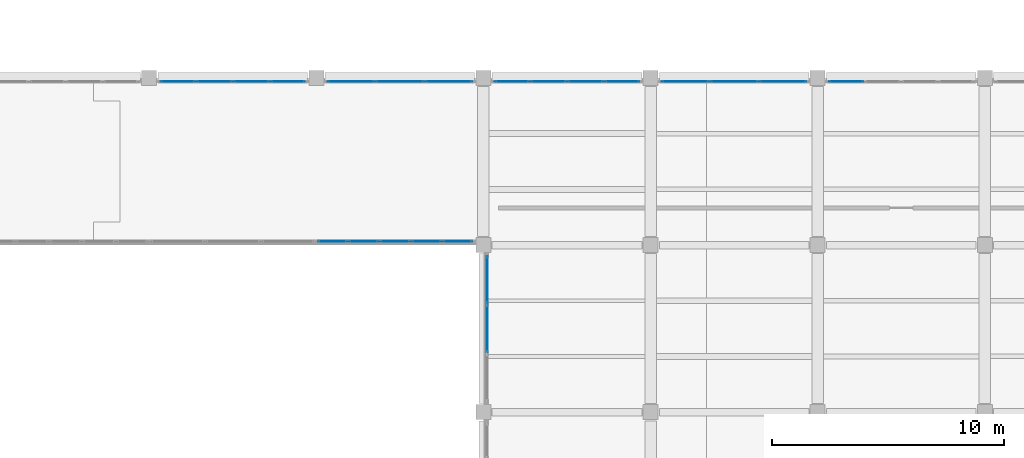
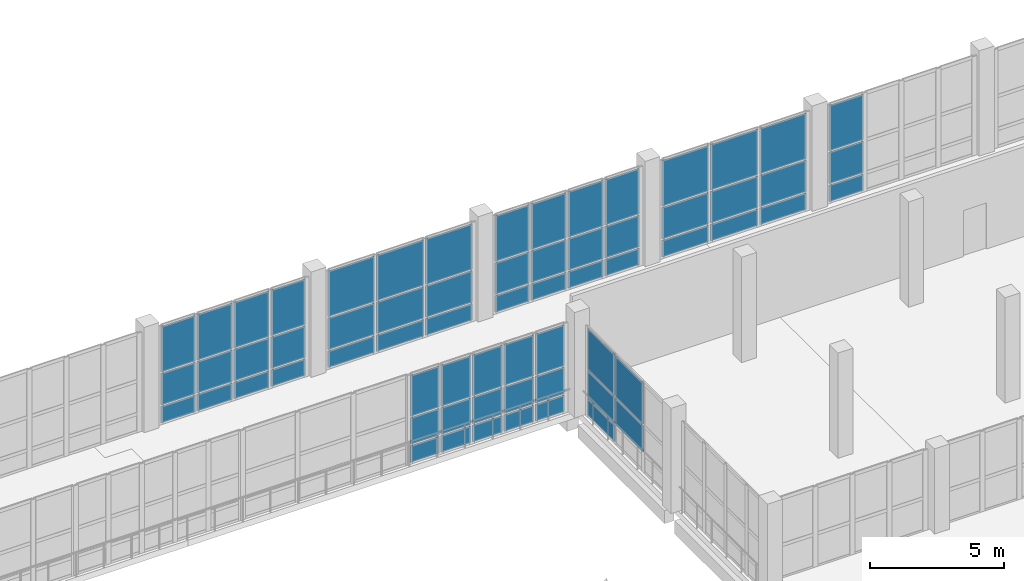
# One storey, part 81 of 127: 65 plates, 7 elements without a shape of their own.
"""IFC4 building model written with IfcOpenShell, lengths in metres."""

from ifc_helpers import new_model, si_unit, direction, frame, origin, origin_2d, place, context, subcontext, project, spatial, rectangle, extrude, material, layer, layer_set, type_object, element, aggregate, save


model = new_model("IFC4")

# Units and contexts
model_context = context("Model", 3, precision=1e-05, world=origin(), true_north=direction((0.0, 1.0)))
body_context = subcontext(model_context, "Body", "Model", "MODEL_VIEW")
ifc_project = project(units=[si_unit("LENGTHUNIT", "METRE"), si_unit("AREAUNIT", "SQUARE_METRE"), si_unit("VOLUMEUNIT", "CUBIC_METRE"), si_unit("PLANEANGLEUNIT", "RADIAN"), si_unit("MASSUNIT", "GRAM", prefix="KILO")], contexts=[model_context])

# Site, building, storey
site_placement = place(None, origin())
site = spatial("IfcSite", under=ifc_project, at=site_placement, CompositionType="ELEMENT")
building_placement = place(site_placement, origin())
building = spatial("IfcBuilding", under=site, at=building_placement, Name="Kalmorath City Hall", CompositionType="ELEMENT")
storey_placement = place(building_placement, frame((0.0, 0.0, 5.39990234375)))
storey = spatial("IfcBuildingStorey", under=building, at=storey_placement, Name="L01", CompositionType="ELEMENT", Elevation=5.39990234375)

# Curtain wall, plates
ifc_material_1 = material(Name="Anodised aluminium and laminated glass", Category="aluminium")
curtain_wall_type_1 = type_object("IfcCurtainWallType", Name="Unitised hurricane curtain wall 6370x4090 M2100", PredefinedType="NOTDEFINED", material=ifc_material_1)
curtain_wall_1_placement = place(storey_placement, origin())
curtain_wall_1 = element("IfcCurtainWall", 1, at=curtain_wall_1_placement, inside=storey, type_object=curtain_wall_type_1, Name="L01 curtain wall CW-64X41M21 #73", PredefinedType="NOTDEFINED")
ifc_material_2 = material(Name="Hurricane laminated low-E glass", Category="glass")
ifc_layer = layer(ifc_material_2, 0.031982421875)
ifc_layer_set = layer_set([ifc_layer], Name="Hurricane laminated low-E glass")
plate_type = type_object("IfcPlateType", Name="Hurricane impact double-glazed panel 32", PredefinedType="CURTAIN_PANEL", material=ifc_layer_set)
plate_1_placement = place(storey_placement, frame((79.360107421875, 32.39990234375, 0.882568359375), z_axis=(0.0, 0.0, 1.0), x_axis=(0.0, 1.0, 0.0)))
plate_1 = element("IfcPlate", 2, at=plate_1_placement, type_object=plate_type, Name="CW-64X41M21 panel 2.2", PredefinedType="CURTAIN_PANEL", context=body_context, shape_type="SweptSolid", body=[
    extrude(rectangle(XDim=2.04833984375, YDim=0.031982421875, at=origin_2d()), origin(), (0.0, 0.0, 1.0), 1.2119140625),
])
plate_2_placement = place(storey_placement, frame((79.360107421875, 32.39990234375, 2.15966796875), z_axis=(0.0, 0.0, 1.0), x_axis=(0.0, 1.0, 0.0)))
plate_2 = element("IfcPlate", 3, at=plate_2_placement, type_object=plate_type, Name="CW-64X41M21 panel 2.3", PredefinedType="CURTAIN_PANEL", context=body_context, shape_type="SweptSolid", body=[
    extrude(rectangle(XDim=2.04833984375, YDim=0.031982421875, at=origin_2d()), origin(), (0.0, 0.0, 1.0), 1.865478515625),
])
plate_3_placement = place(storey_placement, frame((79.360107421875, 34.504638671875, 0.065185546875), z_axis=(0.0, 0.0, 1.0), x_axis=(0.0, 1.0, 0.0)))
plate_3 = element("IfcPlate", 4, at=plate_3_placement, type_object=plate_type, Name="CW-64X41M21 panel 3.1", PredefinedType="CURTAIN_PANEL", context=body_context, shape_type="SweptSolid", body=[
    extrude(rectangle(XDim=2.0107421875, YDim=0.031982421875, at=origin_2d()), origin(), (0.0, 0.0, 1.0), 0.75244140625),
])
plate_4_placement = place(storey_placement, frame((79.360107421875, 34.504638671875, 0.882568359375), z_axis=(0.0, 0.0, 1.0), x_axis=(0.0, 1.0, 0.0)))
plate_4 = element("IfcPlate", 5, at=plate_4_placement, type_object=plate_type, Name="CW-64X41M21 panel 3.2", PredefinedType="CURTAIN_PANEL", context=body_context, shape_type="SweptSolid", body=[
    extrude(rectangle(XDim=2.0107421875, YDim=0.031982421875, at=origin_2d()), origin(), (0.0, 0.0, 1.0), 1.2119140625),
])
plate_5_placement = place(storey_placement, frame((79.360107421875, 34.504638671875, 2.15966796875), z_axis=(0.0, 0.0, 1.0), x_axis=(0.0, 1.0, 0.0)))
plate_5 = element("IfcPlate", 6, at=plate_5_placement, type_object=plate_type, Name="CW-64X41M21 panel 3.3", PredefinedType="CURTAIN_PANEL", context=body_context, shape_type="SweptSolid", body=[
    extrude(rectangle(XDim=2.0107421875, YDim=0.031982421875, at=origin_2d()), origin(), (0.0, 0.0, 1.0), 1.865478515625),
])
aggregate(curtain_wall_1, [plate_1, plate_2, plate_3, plate_4, plate_5])

ifc_material_3 = material(Name="Anodised aluminium and laminated glass", Category="aluminium")
curtain_wall_type_2 = type_object("IfcCurtainWallType", Name="Unitised hurricane curtain wall 6785x4090 M1500", PredefinedType="NOTDEFINED", material=ifc_material_3)
curtain_wall_2_placement = place(storey_placement, origin())
curtain_wall_2 = element("IfcCurtainWall", 7, at=curtain_wall_2_placement, inside=storey, type_object=curtain_wall_type_2, Name="L01 curtain wall CW-68X41M15 #74", PredefinedType="NOTDEFINED")
plate_6_placement = place(storey_placement, frame((78.087646484375, 36.159912109375, 0.065185546875), z_axis=(0.0, 0.0, 1.0), x_axis=(-1.0, 0.0, 0.0)))
plate_6 = element("IfcPlate", 8, at=plate_6_placement, type_object=plate_type, Name="CW-68X41M15 panel 1.1", PredefinedType="CURTAIN_PANEL", context=body_context, shape_type="SweptSolid", body=[
    extrude(rectangle(XDim=1.244384765625, YDim=0.031982421875, at=origin_2d()), origin(), (0.0, 0.0, 1.0), 0.75244140625),
])
plate_7_placement = place(storey_placement, frame((78.087646484375, 36.159912109375, 0.882568359375), z_axis=(0.0, 0.0, 1.0), x_axis=(-1.0, 0.0, 0.0)))
plate_7 = element("IfcPlate", 9, at=plate_7_placement, type_object=plate_type, Name="CW-68X41M15 panel 1.2", PredefinedType="CURTAIN_PANEL", context=body_context, shape_type="SweptSolid", body=[
    extrude(rectangle(XDim=1.244384765625, YDim=0.031982421875, at=origin_2d()), origin(), (0.0, 0.0, 1.0), 1.2119140625),
])
plate_8_placement = place(storey_placement, frame((78.087646484375, 36.159912109375, 2.15966796875), z_axis=(0.0, 0.0, 1.0), x_axis=(-1.0, 0.0, 0.0)))
plate_8 = element("IfcPlate", 10, at=plate_8_placement, type_object=plate_type, Name="CW-68X41M15 panel 1.3", PredefinedType="CURTAIN_PANEL", context=body_context, shape_type="SweptSolid", body=[
    extrude(rectangle(XDim=1.244384765625, YDim=0.031982421875, at=origin_2d()), origin(), (0.0, 0.0, 1.0), 1.865478515625),
])
plate_9_placement = place(storey_placement, frame((76.74951171875, 36.159912109375, 0.065185546875), z_axis=(0.0, 0.0, 1.0), x_axis=(-1.0, 0.0, 0.0)))
plate_9 = element("IfcPlate", 11, at=plate_9_placement, type_object=plate_type, Name="CW-68X41M15 panel 2.1", PredefinedType="CURTAIN_PANEL", context=body_context, shape_type="SweptSolid", body=[
    extrude(rectangle(XDim=1.281982421875, YDim=0.031982421875, at=origin_2d()), origin(), (0.0, 0.0, 1.0), 0.75244140625),
])
plate_10_placement = place(storey_placement, frame((76.74951171875, 36.159912109375, 0.882568359375), z_axis=(0.0, 0.0, 1.0), x_axis=(-1.0, 0.0, 0.0)))
plate_10 = element("IfcPlate", 12, at=plate_10_placement, type_object=plate_type, Name="CW-68X41M15 panel 2.2", PredefinedType="CURTAIN_PANEL", context=body_context, shape_type="SweptSolid", body=[
    extrude(rectangle(XDim=1.281982421875, YDim=0.031982421875, at=origin_2d()), origin(), (0.0, 0.0, 1.0), 1.2119140625),
])
plate_11_placement = place(storey_placement, frame((76.74951171875, 36.159912109375, 2.15966796875), z_axis=(0.0, 0.0, 1.0), x_axis=(-1.0, 0.0, 0.0)))
plate_11 = element("IfcPlate", 13, at=plate_11_placement, type_object=plate_type, Name="CW-68X41M15 panel 2.3", PredefinedType="CURTAIN_PANEL", context=body_context, shape_type="SweptSolid", body=[
    extrude(rectangle(XDim=1.281982421875, YDim=0.031982421875, at=origin_2d()), origin(), (0.0, 0.0, 1.0), 1.865478515625),
])
plate_12_placement = place(storey_placement, frame((75.392578125, 36.159912109375, 0.065185546875), z_axis=(0.0, 0.0, 1.0), x_axis=(-1.0, 0.0, 0.0)))
plate_12 = element("IfcPlate", 14, at=plate_12_placement, type_object=plate_type, Name="CW-68X41M15 panel 3.1", PredefinedType="CURTAIN_PANEL", context=body_context, shape_type="SweptSolid", body=[
    extrude(rectangle(XDim=1.281982421875, YDim=0.031982421875, at=origin_2d()), origin(), (0.0, 0.0, 1.0), 0.75244140625),
])
plate_13_placement = place(storey_placement, frame((75.392578125, 36.159912109375, 0.882568359375), z_axis=(0.0, 0.0, 1.0), x_axis=(-1.0, 0.0, 0.0)))
plate_13 = element("IfcPlate", 15, at=plate_13_placement, type_object=plate_type, Name="CW-68X41M15 panel 3.2", PredefinedType="CURTAIN_PANEL", context=body_context, shape_type="SweptSolid", body=[
    extrude(rectangle(XDim=1.281982421875, YDim=0.031982421875, at=origin_2d()), origin(), (0.0, 0.0, 1.0), 1.2119140625),
])
plate_14_placement = place(storey_placement, frame((75.392578125, 36.159912109375, 2.15966796875), z_axis=(0.0, 0.0, 1.0), x_axis=(-1.0, 0.0, 0.0)))
plate_14 = element("IfcPlate", 16, at=plate_14_placement, type_object=plate_type, Name="CW-68X41M15 panel 3.3", PredefinedType="CURTAIN_PANEL", context=body_context, shape_type="SweptSolid", body=[
    extrude(rectangle(XDim=1.281982421875, YDim=0.031982421875, at=origin_2d()), origin(), (0.0, 0.0, 1.0), 1.865478515625),
])
plate_15_placement = place(storey_placement, frame((74.035400390625, 36.159912109375, 0.065185546875), z_axis=(0.0, 0.0, 1.0), x_axis=(-1.0, 0.0, 0.0)))
plate_15 = element("IfcPlate", 17, at=plate_15_placement, type_object=plate_type, Name="CW-68X41M15 panel 4.1", PredefinedType="CURTAIN_PANEL", context=body_context, shape_type="SweptSolid", body=[
    extrude(rectangle(XDim=1.281982421875, YDim=0.031982421875, at=origin_2d()), origin(), (0.0, 0.0, 1.0), 0.75244140625),
])
plate_16_placement = place(storey_placement, frame((74.035400390625, 36.159912109375, 0.882568359375), z_axis=(0.0, 0.0, 1.0), x_axis=(-1.0, 0.0, 0.0)))
plate_16 = element("IfcPlate", 18, at=plate_16_placement, type_object=plate_type, Name="CW-68X41M15 panel 4.2", PredefinedType="CURTAIN_PANEL", context=body_context, shape_type="SweptSolid", body=[
    extrude(rectangle(XDim=1.281982421875, YDim=0.031982421875, at=origin_2d()), origin(), (0.0, 0.0, 1.0), 1.2119140625),
])
plate_17_placement = place(storey_placement, frame((74.035400390625, 36.159912109375, 2.15966796875), z_axis=(0.0, 0.0, 1.0), x_axis=(-1.0, 0.0, 0.0)))
plate_17 = element("IfcPlate", 19, at=plate_17_placement, type_object=plate_type, Name="CW-68X41M15 panel 4.3", PredefinedType="CURTAIN_PANEL", context=body_context, shape_type="SweptSolid", body=[
    extrude(rectangle(XDim=1.281982421875, YDim=0.031982421875, at=origin_2d()), origin(), (0.0, 0.0, 1.0), 1.865478515625),
])
plate_18_placement = place(storey_placement, frame((72.697265625, 36.159912109375, 0.065185546875), z_axis=(0.0, 0.0, 1.0), x_axis=(-1.0, 0.0, 0.0)))
plate_18 = element("IfcPlate", 20, at=plate_18_placement, type_object=plate_type, Name="CW-68X41M15 panel 5.1", PredefinedType="CURTAIN_PANEL", context=body_context, shape_type="SweptSolid", body=[
    extrude(rectangle(XDim=1.244384765625, YDim=0.031982421875, at=origin_2d()), origin(), (0.0, 0.0, 1.0), 0.75244140625),
])
plate_19_placement = place(storey_placement, frame((72.697265625, 36.159912109375, 0.882568359375), z_axis=(0.0, 0.0, 1.0), x_axis=(-1.0, 0.0, 0.0)))
plate_19 = element("IfcPlate", 21, at=plate_19_placement, type_object=plate_type, Name="CW-68X41M15 panel 5.2", PredefinedType="CURTAIN_PANEL", context=body_context, shape_type="SweptSolid", body=[
    extrude(rectangle(XDim=1.244384765625, YDim=0.031982421875, at=origin_2d()), origin(), (0.0, 0.0, 1.0), 1.2119140625),
])
plate_20_placement = place(storey_placement, frame((72.697265625, 36.159912109375, 2.15966796875), z_axis=(0.0, 0.0, 1.0), x_axis=(-1.0, 0.0, 0.0)))
plate_20 = element("IfcPlate", 22, at=plate_20_placement, type_object=plate_type, Name="CW-68X41M15 panel 5.3", PredefinedType="CURTAIN_PANEL", context=body_context, shape_type="SweptSolid", body=[
    extrude(rectangle(XDim=1.244384765625, YDim=0.031982421875, at=origin_2d()), origin(), (0.0, 0.0, 1.0), 1.865478515625),
])
aggregate(curtain_wall_2, [plate_6, plate_7, plate_8, plate_9, plate_10, plate_11, plate_12, plate_13, plate_14, plate_15, plate_16, plate_17, plate_18, plate_19, plate_20])

ifc_material_4 = material(Name="Anodised aluminium and laminated glass", Category="aluminium")
curtain_wall_type_3 = type_object("IfcCurtainWallType", Name="Unitised hurricane curtain wall 6370x4520 M1500", PredefinedType="NOTDEFINED", material=ifc_material_4)
curtain_wall_3_placement = place(storey_placement, origin())
curtain_wall_3 = element("IfcCurtainWall", 23, at=curtain_wall_3_placement, inside=storey, type_object=curtain_wall_type_3, Name="L01 curtain wall CW-64X45M15 #86", PredefinedType="NOTDEFINED")
plate_21_placement = place(storey_placement, frame((66.030029296875, 43.0400390625, 0.065185546875), z_axis=(0.0, 0.0, 1.0), x_axis=(1.0, 0.0, 0.0)))
plate_21 = element("IfcPlate", 24, at=plate_21_placement, type_object=plate_type, Name="CW-64X45M15 panel 1.1", PredefinedType="CURTAIN_PANEL", context=body_context, shape_type="SweptSolid", body=[
    extrude(rectangle(XDim=1.47998046875, YDim=0.031982421875, at=origin_2d()), origin(), (0.0, 0.0, 1.0), 0.75244140625),
])
plate_22_placement = place(storey_placement, frame((66.030029296875, 43.0400390625, 0.882568359375), z_axis=(0.0, 0.0, 1.0), x_axis=(1.0, 0.0, 0.0)))
plate_22 = element("IfcPlate", 25, at=plate_22_placement, type_object=plate_type, Name="CW-64X45M15 panel 1.2", PredefinedType="CURTAIN_PANEL", context=body_context, shape_type="SweptSolid", body=[
    extrude(rectangle(XDim=1.47998046875, YDim=0.031982421875, at=origin_2d()), origin(), (0.0, 0.0, 1.0), 1.43505859375),
])
plate_23_placement = place(storey_placement, frame((66.030029296875, 43.0400390625, 2.3828125), z_axis=(0.0, 0.0, 1.0), x_axis=(1.0, 0.0, 0.0)))
plate_23 = element("IfcPlate", 26, at=plate_23_placement, type_object=plate_type, Name="CW-64X45M15 panel 1.3", PredefinedType="CURTAIN_PANEL", context=body_context, shape_type="SweptSolid", body=[
    extrude(rectangle(XDim=1.47998046875, YDim=0.031982421875, at=origin_2d()), origin(), (0.0, 0.0, 1.0), 2.072509765625),
])
plate_24_placement = place(storey_placement, frame((67.603759765625, 43.0400390625, 0.065185546875), z_axis=(0.0, 0.0, 1.0), x_axis=(1.0, 0.0, 0.0)))
plate_24 = element("IfcPlate", 27, at=plate_24_placement, type_object=plate_type, Name="CW-64X45M15 panel 2.1", PredefinedType="CURTAIN_PANEL", context=body_context, shape_type="SweptSolid", body=[
    extrude(rectangle(XDim=1.517578125, YDim=0.031982421875, at=origin_2d()), origin(), (0.0, 0.0, 1.0), 0.75244140625),
])
plate_25_placement = place(storey_placement, frame((67.603759765625, 43.0400390625, 0.882568359375), z_axis=(0.0, 0.0, 1.0), x_axis=(1.0, 0.0, 0.0)))
plate_25 = element("IfcPlate", 28, at=plate_25_placement, type_object=plate_type, Name="CW-64X45M15 panel 2.2", PredefinedType="CURTAIN_PANEL", context=body_context, shape_type="SweptSolid", body=[
    extrude(rectangle(XDim=1.517578125, YDim=0.031982421875, at=origin_2d()), origin(), (0.0, 0.0, 1.0), 1.43505859375),
])
plate_26_placement = place(storey_placement, frame((67.603759765625, 43.0400390625, 2.3828125), z_axis=(0.0, 0.0, 1.0), x_axis=(1.0, 0.0, 0.0)))
plate_26 = element("IfcPlate", 29, at=plate_26_placement, type_object=plate_type, Name="CW-64X45M15 panel 2.3", PredefinedType="CURTAIN_PANEL", context=body_context, shape_type="SweptSolid", body=[
    extrude(rectangle(XDim=1.517578125, YDim=0.031982421875, at=origin_2d()), origin(), (0.0, 0.0, 1.0), 2.072509765625),
])
plate_27_placement = place(storey_placement, frame((69.1962890625, 43.0400390625, 0.065185546875), z_axis=(0.0, 0.0, 1.0), x_axis=(1.0, 0.0, 0.0)))
plate_27 = element("IfcPlate", 30, at=plate_27_placement, type_object=plate_type, Name="CW-64X45M15 panel 3.1", PredefinedType="CURTAIN_PANEL", context=body_context, shape_type="SweptSolid", body=[
    extrude(rectangle(XDim=1.517578125, YDim=0.031982421875, at=origin_2d()), origin(), (0.0, 0.0, 1.0), 0.75244140625),
])
plate_28_placement = place(storey_placement, frame((69.1962890625, 43.0400390625, 0.882568359375), z_axis=(0.0, 0.0, 1.0), x_axis=(1.0, 0.0, 0.0)))
plate_28 = element("IfcPlate", 31, at=plate_28_placement, type_object=plate_type, Name="CW-64X45M15 panel 3.2", PredefinedType="CURTAIN_PANEL", context=body_context, shape_type="SweptSolid", body=[
    extrude(rectangle(XDim=1.517578125, YDim=0.031982421875, at=origin_2d()), origin(), (0.0, 0.0, 1.0), 1.43505859375),
])
plate_29_placement = place(storey_placement, frame((69.1962890625, 43.0400390625, 2.3828125), z_axis=(0.0, 0.0, 1.0), x_axis=(1.0, 0.0, 0.0)))
plate_29 = element("IfcPlate", 32, at=plate_29_placement, type_object=plate_type, Name="CW-64X45M15 panel 3.3", PredefinedType="CURTAIN_PANEL", context=body_context, shape_type="SweptSolid", body=[
    extrude(rectangle(XDim=1.517578125, YDim=0.031982421875, at=origin_2d()), origin(), (0.0, 0.0, 1.0), 2.072509765625),
])
plate_30_placement = place(storey_placement, frame((70.77001953125, 43.0400390625, 0.065185546875), z_axis=(0.0, 0.0, 1.0), x_axis=(1.0, 0.0, 0.0)))
plate_30 = element("IfcPlate", 33, at=plate_30_placement, type_object=plate_type, Name="CW-64X45M15 panel 4.1", PredefinedType="CURTAIN_PANEL", context=body_context, shape_type="SweptSolid", body=[
    extrude(rectangle(XDim=1.47998046875, YDim=0.031982421875, at=origin_2d()), origin(), (0.0, 0.0, 1.0), 0.75244140625),
])
plate_31_placement = place(storey_placement, frame((70.77001953125, 43.0400390625, 0.882568359375), z_axis=(0.0, 0.0, 1.0), x_axis=(1.0, 0.0, 0.0)))
plate_31 = element("IfcPlate", 34, at=plate_31_placement, type_object=plate_type, Name="CW-64X45M15 panel 4.2", PredefinedType="CURTAIN_PANEL", context=body_context, shape_type="SweptSolid", body=[
    extrude(rectangle(XDim=1.47998046875, YDim=0.031982421875, at=origin_2d()), origin(), (0.0, 0.0, 1.0), 1.43505859375),
])
plate_32_placement = place(storey_placement, frame((70.77001953125, 43.0400390625, 2.3828125), z_axis=(0.0, 0.0, 1.0), x_axis=(1.0, 0.0, 0.0)))
plate_32 = element("IfcPlate", 35, at=plate_32_placement, type_object=plate_type, Name="CW-64X45M15 panel 4.3", PredefinedType="CURTAIN_PANEL", context=body_context, shape_type="SweptSolid", body=[
    extrude(rectangle(XDim=1.47998046875, YDim=0.031982421875, at=origin_2d()), origin(), (0.0, 0.0, 1.0), 2.072509765625),
])
aggregate(curtain_wall_3, [plate_21, plate_22, plate_23, plate_24, plate_25, plate_26, plate_27, plate_28, plate_29, plate_30, plate_31, plate_32])

ifc_material_5 = material(Name="Anodised aluminium and laminated glass", Category="aluminium")
curtain_wall_type_4 = type_object("IfcCurtainWallType", Name="Unitised hurricane curtain wall 6370x4520 M2100", PredefinedType="NOTDEFINED", material=ifc_material_5)
curtain_wall_4_placement = place(storey_placement, origin())
curtain_wall_4 = element("IfcCurtainWall", 36, at=curtain_wall_4_placement, inside=storey, type_object=curtain_wall_type_4, Name="L01 curtain wall CW-64X45M21 #87", PredefinedType="NOTDEFINED")
plate_33_placement = place(storey_placement, frame((73.495361328125, 43.0400390625, 0.065185546875), z_axis=(0.0, 0.0, 1.0), x_axis=(1.0, 0.0, 0.0)))
plate_33 = element("IfcPlate", 37, at=plate_33_placement, type_object=plate_type, Name="CW-64X45M21 panel 1.1", PredefinedType="CURTAIN_PANEL", context=body_context, shape_type="SweptSolid", body=[
    extrude(rectangle(XDim=2.0107421875, YDim=0.031982421875, at=origin_2d()), origin(), (0.0, 0.0, 1.0), 0.75244140625),
])
plate_34_placement = place(storey_placement, frame((73.495361328125, 43.0400390625, 0.882568359375), z_axis=(0.0, 0.0, 1.0), x_axis=(1.0, 0.0, 0.0)))
plate_34 = element("IfcPlate", 38, at=plate_34_placement, type_object=plate_type, Name="CW-64X45M21 panel 1.2", PredefinedType="CURTAIN_PANEL", context=body_context, shape_type="SweptSolid", body=[
    extrude(rectangle(XDim=2.0107421875, YDim=0.031982421875, at=origin_2d()), origin(), (0.0, 0.0, 1.0), 1.43505859375),
])
plate_35_placement = place(storey_placement, frame((73.495361328125, 43.0400390625, 2.3828125), z_axis=(0.0, 0.0, 1.0), x_axis=(1.0, 0.0, 0.0)))
plate_35 = element("IfcPlate", 39, at=plate_35_placement, type_object=plate_type, Name="CW-64X45M21 panel 1.3", PredefinedType="CURTAIN_PANEL", context=body_context, shape_type="SweptSolid", body=[
    extrude(rectangle(XDim=2.0107421875, YDim=0.031982421875, at=origin_2d()), origin(), (0.0, 0.0, 1.0), 2.072509765625),
])
plate_36_placement = place(storey_placement, frame((75.60009765625, 43.0400390625, 0.065185546875), z_axis=(0.0, 0.0, 1.0), x_axis=(1.0, 0.0, 0.0)))
plate_36 = element("IfcPlate", 40, at=plate_36_placement, type_object=plate_type, Name="CW-64X45M21 panel 2.1", PredefinedType="CURTAIN_PANEL", context=body_context, shape_type="SweptSolid", body=[
    extrude(rectangle(XDim=2.04833984375, YDim=0.031982421875, at=origin_2d()), origin(), (0.0, 0.0, 1.0), 0.75244140625),
])
plate_37_placement = place(storey_placement, frame((75.60009765625, 43.0400390625, 0.882568359375), z_axis=(0.0, 0.0, 1.0), x_axis=(1.0, 0.0, 0.0)))
plate_37 = element("IfcPlate", 41, at=plate_37_placement, type_object=plate_type, Name="CW-64X45M21 panel 2.2", PredefinedType="CURTAIN_PANEL", context=body_context, shape_type="SweptSolid", body=[
    extrude(rectangle(XDim=2.04833984375, YDim=0.031982421875, at=origin_2d()), origin(), (0.0, 0.0, 1.0), 1.43505859375),
])
plate_38_placement = place(storey_placement, frame((75.60009765625, 43.0400390625, 2.3828125), z_axis=(0.0, 0.0, 1.0), x_axis=(1.0, 0.0, 0.0)))
plate_38 = element("IfcPlate", 42, at=plate_38_placement, type_object=plate_type, Name="CW-64X45M21 panel 2.3", PredefinedType="CURTAIN_PANEL", context=body_context, shape_type="SweptSolid", body=[
    extrude(rectangle(XDim=2.04833984375, YDim=0.031982421875, at=origin_2d()), origin(), (0.0, 0.0, 1.0), 2.072509765625),
])
plate_39_placement = place(storey_placement, frame((77.70458984375, 43.0400390625, 0.065185546875), z_axis=(0.0, 0.0, 1.0), x_axis=(1.0, 0.0, 0.0)))
plate_39 = element("IfcPlate", 43, at=plate_39_placement, type_object=plate_type, Name="CW-64X45M21 panel 3.1", PredefinedType="CURTAIN_PANEL", context=body_context, shape_type="SweptSolid", body=[
    extrude(rectangle(XDim=2.0107421875, YDim=0.031982421875, at=origin_2d()), origin(), (0.0, 0.0, 1.0), 0.75244140625),
])
plate_40_placement = place(storey_placement, frame((77.70458984375, 43.0400390625, 0.882568359375), z_axis=(0.0, 0.0, 1.0), x_axis=(1.0, 0.0, 0.0)))
plate_40 = element("IfcPlate", 44, at=plate_40_placement, type_object=plate_type, Name="CW-64X45M21 panel 3.2", PredefinedType="CURTAIN_PANEL", context=body_context, shape_type="SweptSolid", body=[
    extrude(rectangle(XDim=2.0107421875, YDim=0.031982421875, at=origin_2d()), origin(), (0.0, 0.0, 1.0), 1.43505859375),
])
plate_41_placement = place(storey_placement, frame((77.70458984375, 43.0400390625, 2.3828125), z_axis=(0.0, 0.0, 1.0), x_axis=(1.0, 0.0, 0.0)))
plate_41 = element("IfcPlate", 45, at=plate_41_placement, type_object=plate_type, Name="CW-64X45M21 panel 3.3", PredefinedType="CURTAIN_PANEL", context=body_context, shape_type="SweptSolid", body=[
    extrude(rectangle(XDim=2.0107421875, YDim=0.031982421875, at=origin_2d()), origin(), (0.0, 0.0, 1.0), 2.072509765625),
])
aggregate(curtain_wall_4, [plate_33, plate_34, plate_35, plate_36, plate_37, plate_38, plate_39, plate_40, plate_41])

curtain_wall_5_placement = place(storey_placement, origin())
curtain_wall_5 = element("IfcCurtainWall", 46, at=curtain_wall_5_placement, inside=storey, type_object=curtain_wall_type_3, Name="L01 curtain wall CW-64X45M15 #88", PredefinedType="NOTDEFINED")
plate_42_placement = place(storey_placement, frame((80.429931640625, 43.0400390625, 0.065185546875), z_axis=(0.0, 0.0, 1.0), x_axis=(1.0, 0.0, 0.0)))
plate_42 = element("IfcPlate", 47, at=plate_42_placement, type_object=plate_type, Name="CW-64X45M15 panel 1.1", PredefinedType="CURTAIN_PANEL", context=body_context, shape_type="SweptSolid", body=[
    extrude(rectangle(XDim=1.47998046875, YDim=0.031982421875, at=origin_2d()), origin(), (0.0, 0.0, 1.0), 0.75244140625),
])
plate_43_placement = place(storey_placement, frame((80.429931640625, 43.0400390625, 0.882568359375), z_axis=(0.0, 0.0, 1.0), x_axis=(1.0, 0.0, 0.0)))
plate_43 = element("IfcPlate", 48, at=plate_43_placement, type_object=plate_type, Name="CW-64X45M15 panel 1.2", PredefinedType="CURTAIN_PANEL", context=body_context, shape_type="SweptSolid", body=[
    extrude(rectangle(XDim=1.47998046875, YDim=0.031982421875, at=origin_2d()), origin(), (0.0, 0.0, 1.0), 1.43505859375),
])
plate_44_placement = place(storey_placement, frame((80.429931640625, 43.0400390625, 2.3828125), z_axis=(0.0, 0.0, 1.0), x_axis=(1.0, 0.0, 0.0)))
plate_44 = element("IfcPlate", 49, at=plate_44_placement, type_object=plate_type, Name="CW-64X45M15 panel 1.3", PredefinedType="CURTAIN_PANEL", context=body_context, shape_type="SweptSolid", body=[
    extrude(rectangle(XDim=1.47998046875, YDim=0.031982421875, at=origin_2d()), origin(), (0.0, 0.0, 1.0), 2.072509765625),
])
plate_45_placement = place(storey_placement, frame((82.003662109375, 43.0400390625, 0.065185546875), z_axis=(0.0, 0.0, 1.0), x_axis=(1.0, 0.0, 0.0)))
plate_45 = element("IfcPlate", 50, at=plate_45_placement, type_object=plate_type, Name="CW-64X45M15 panel 2.1", PredefinedType="CURTAIN_PANEL", context=body_context, shape_type="SweptSolid", body=[
    extrude(rectangle(XDim=1.517578125, YDim=0.031982421875, at=origin_2d()), origin(), (0.0, 0.0, 1.0), 0.75244140625),
])
plate_46_placement = place(storey_placement, frame((82.003662109375, 43.0400390625, 0.882568359375), z_axis=(0.0, 0.0, 1.0), x_axis=(1.0, 0.0, 0.0)))
plate_46 = element("IfcPlate", 51, at=plate_46_placement, type_object=plate_type, Name="CW-64X45M15 panel 2.2", PredefinedType="CURTAIN_PANEL", context=body_context, shape_type="SweptSolid", body=[
    extrude(rectangle(XDim=1.517578125, YDim=0.031982421875, at=origin_2d()), origin(), (0.0, 0.0, 1.0), 1.43505859375),
])
plate_47_placement = place(storey_placement, frame((82.003662109375, 43.0400390625, 2.3828125), z_axis=(0.0, 0.0, 1.0), x_axis=(1.0, 0.0, 0.0)))
plate_47 = element("IfcPlate", 52, at=plate_47_placement, type_object=plate_type, Name="CW-64X45M15 panel 2.3", PredefinedType="CURTAIN_PANEL", context=body_context, shape_type="SweptSolid", body=[
    extrude(rectangle(XDim=1.517578125, YDim=0.031982421875, at=origin_2d()), origin(), (0.0, 0.0, 1.0), 2.072509765625),
])
plate_48_placement = place(storey_placement, frame((83.59619140625, 43.0400390625, 0.065185546875), z_axis=(0.0, 0.0, 1.0), x_axis=(1.0, 0.0, 0.0)))
plate_48 = element("IfcPlate", 53, at=plate_48_placement, type_object=plate_type, Name="CW-64X45M15 panel 3.1", PredefinedType="CURTAIN_PANEL", context=body_context, shape_type="SweptSolid", body=[
    extrude(rectangle(XDim=1.517578125, YDim=0.031982421875, at=origin_2d()), origin(), (0.0, 0.0, 1.0), 0.75244140625),
])
plate_49_placement = place(storey_placement, frame((83.59619140625, 43.0400390625, 0.882568359375), z_axis=(0.0, 0.0, 1.0), x_axis=(1.0, 0.0, 0.0)))
plate_49 = element("IfcPlate", 54, at=plate_49_placement, type_object=plate_type, Name="CW-64X45M15 panel 3.2", PredefinedType="CURTAIN_PANEL", context=body_context, shape_type="SweptSolid", body=[
    extrude(rectangle(XDim=1.517578125, YDim=0.031982421875, at=origin_2d()), origin(), (0.0, 0.0, 1.0), 1.43505859375),
])
plate_50_placement = place(storey_placement, frame((83.59619140625, 43.0400390625, 2.3828125), z_axis=(0.0, 0.0, 1.0), x_axis=(1.0, 0.0, 0.0)))
plate_50 = element("IfcPlate", 55, at=plate_50_placement, type_object=plate_type, Name="CW-64X45M15 panel 3.3", PredefinedType="CURTAIN_PANEL", context=body_context, shape_type="SweptSolid", body=[
    extrude(rectangle(XDim=1.517578125, YDim=0.031982421875, at=origin_2d()), origin(), (0.0, 0.0, 1.0), 2.072509765625),
])
plate_51_placement = place(storey_placement, frame((85.169921875, 43.0400390625, 0.065185546875), z_axis=(0.0, 0.0, 1.0), x_axis=(1.0, 0.0, 0.0)))
plate_51 = element("IfcPlate", 56, at=plate_51_placement, type_object=plate_type, Name="CW-64X45M15 panel 4.1", PredefinedType="CURTAIN_PANEL", context=body_context, shape_type="SweptSolid", body=[
    extrude(rectangle(XDim=1.47998046875, YDim=0.031982421875, at=origin_2d()), origin(), (0.0, 0.0, 1.0), 0.75244140625),
])
plate_52_placement = place(storey_placement, frame((85.169921875, 43.0400390625, 0.882568359375), z_axis=(0.0, 0.0, 1.0), x_axis=(1.0, 0.0, 0.0)))
plate_52 = element("IfcPlate", 57, at=plate_52_placement, type_object=plate_type, Name="CW-64X45M15 panel 4.2", PredefinedType="CURTAIN_PANEL", context=body_context, shape_type="SweptSolid", body=[
    extrude(rectangle(XDim=1.47998046875, YDim=0.031982421875, at=origin_2d()), origin(), (0.0, 0.0, 1.0), 1.43505859375),
])
plate_53_placement = place(storey_placement, frame((85.169921875, 43.0400390625, 2.3828125), z_axis=(0.0, 0.0, 1.0), x_axis=(1.0, 0.0, 0.0)))
plate_53 = element("IfcPlate", 58, at=plate_53_placement, type_object=plate_type, Name="CW-64X45M15 panel 4.3", PredefinedType="CURTAIN_PANEL", context=body_context, shape_type="SweptSolid", body=[
    extrude(rectangle(XDim=1.47998046875, YDim=0.031982421875, at=origin_2d()), origin(), (0.0, 0.0, 1.0), 2.072509765625),
])
aggregate(curtain_wall_5, [plate_42, plate_43, plate_44, plate_45, plate_46, plate_47, plate_48, plate_49, plate_50, plate_51, plate_52, plate_53])

curtain_wall_6_placement = place(storey_placement, origin())
curtain_wall_6 = element("IfcCurtainWall", 59, at=curtain_wall_6_placement, inside=storey, type_object=curtain_wall_type_4, Name="L01 curtain wall CW-64X45M21 #89", PredefinedType="NOTDEFINED")
plate_54_placement = place(storey_placement, frame((87.8955078125, 43.0400390625, 0.065185546875), z_axis=(0.0, 0.0, 1.0), x_axis=(1.0, 0.0, 0.0)))
plate_54 = element("IfcPlate", 60, at=plate_54_placement, type_object=plate_type, Name="CW-64X45M21 panel 1.1", PredefinedType="CURTAIN_PANEL", context=body_context, shape_type="SweptSolid", body=[
    extrude(rectangle(XDim=2.0107421875, YDim=0.031982421875, at=origin_2d()), origin(), (0.0, 0.0, 1.0), 0.75244140625),
])
plate_55_placement = place(storey_placement, frame((87.8955078125, 43.0400390625, 0.882568359375), z_axis=(0.0, 0.0, 1.0), x_axis=(1.0, 0.0, 0.0)))
plate_55 = element("IfcPlate", 61, at=plate_55_placement, type_object=plate_type, Name="CW-64X45M21 panel 1.2", PredefinedType="CURTAIN_PANEL", context=body_context, shape_type="SweptSolid", body=[
    extrude(rectangle(XDim=2.0107421875, YDim=0.031982421875, at=origin_2d()), origin(), (0.0, 0.0, 1.0), 1.43505859375),
])
plate_56_placement = place(storey_placement, frame((87.8955078125, 43.0400390625, 2.3828125), z_axis=(0.0, 0.0, 1.0), x_axis=(1.0, 0.0, 0.0)))
plate_56 = element("IfcPlate", 62, at=plate_56_placement, type_object=plate_type, Name="CW-64X45M21 panel 1.3", PredefinedType="CURTAIN_PANEL", context=body_context, shape_type="SweptSolid", body=[
    extrude(rectangle(XDim=2.0107421875, YDim=0.031982421875, at=origin_2d()), origin(), (0.0, 0.0, 1.0), 2.072509765625),
])
plate_57_placement = place(storey_placement, frame((90.0, 43.0400390625, 0.065185546875), z_axis=(0.0, 0.0, 1.0), x_axis=(1.0, 0.0, 0.0)))
plate_57 = element("IfcPlate", 63, at=plate_57_placement, type_object=plate_type, Name="CW-64X45M21 panel 2.1", PredefinedType="CURTAIN_PANEL", context=body_context, shape_type="SweptSolid", body=[
    extrude(rectangle(XDim=2.04833984375, YDim=0.031982421875, at=origin_2d()), origin(), (0.0, 0.0, 1.0), 0.75244140625),
])
plate_58_placement = place(storey_placement, frame((90.0, 43.0400390625, 0.882568359375), z_axis=(0.0, 0.0, 1.0), x_axis=(1.0, 0.0, 0.0)))
plate_58 = element("IfcPlate", 64, at=plate_58_placement, type_object=plate_type, Name="CW-64X45M21 panel 2.2", PredefinedType="CURTAIN_PANEL", context=body_context, shape_type="SweptSolid", body=[
    extrude(rectangle(XDim=2.04833984375, YDim=0.031982421875, at=origin_2d()), origin(), (0.0, 0.0, 1.0), 1.43505859375),
])
plate_59_placement = place(storey_placement, frame((90.0, 43.0400390625, 2.3828125), z_axis=(0.0, 0.0, 1.0), x_axis=(1.0, 0.0, 0.0)))
plate_59 = element("IfcPlate", 65, at=plate_59_placement, type_object=plate_type, Name="CW-64X45M21 panel 2.3", PredefinedType="CURTAIN_PANEL", context=body_context, shape_type="SweptSolid", body=[
    extrude(rectangle(XDim=2.04833984375, YDim=0.031982421875, at=origin_2d()), origin(), (0.0, 0.0, 1.0), 2.072509765625),
])
plate_60_placement = place(storey_placement, frame((92.1044921875, 43.0400390625, 0.065185546875), z_axis=(0.0, 0.0, 1.0), x_axis=(1.0, 0.0, 0.0)))
plate_60 = element("IfcPlate", 66, at=plate_60_placement, type_object=plate_type, Name="CW-64X45M21 panel 3.1", PredefinedType="CURTAIN_PANEL", context=body_context, shape_type="SweptSolid", body=[
    extrude(rectangle(XDim=2.0107421875, YDim=0.031982421875, at=origin_2d()), origin(), (0.0, 0.0, 1.0), 0.75244140625),
])
plate_61_placement = place(storey_placement, frame((92.1044921875, 43.0400390625, 0.882568359375), z_axis=(0.0, 0.0, 1.0), x_axis=(1.0, 0.0, 0.0)))
plate_61 = element("IfcPlate", 67, at=plate_61_placement, type_object=plate_type, Name="CW-64X45M21 panel 3.2", PredefinedType="CURTAIN_PANEL", context=body_context, shape_type="SweptSolid", body=[
    extrude(rectangle(XDim=2.0107421875, YDim=0.031982421875, at=origin_2d()), origin(), (0.0, 0.0, 1.0), 1.43505859375),
])
plate_62_placement = place(storey_placement, frame((92.1044921875, 43.0400390625, 2.3828125), z_axis=(0.0, 0.0, 1.0), x_axis=(1.0, 0.0, 0.0)))
plate_62 = element("IfcPlate", 68, at=plate_62_placement, type_object=plate_type, Name="CW-64X45M21 panel 3.3", PredefinedType="CURTAIN_PANEL", context=body_context, shape_type="SweptSolid", body=[
    extrude(rectangle(XDim=2.0107421875, YDim=0.031982421875, at=origin_2d()), origin(), (0.0, 0.0, 1.0), 2.072509765625),
])
aggregate(curtain_wall_6, [plate_54, plate_55, plate_56, plate_57, plate_58, plate_59, plate_60, plate_61, plate_62])

curtain_wall_7_placement = place(storey_placement, origin())
curtain_wall_7 = element("IfcCurtainWall", 69, at=curtain_wall_7_placement, inside=storey, type_object=curtain_wall_type_3, Name="L01 curtain wall CW-64X45M15 #90", PredefinedType="NOTDEFINED")
plate_63_placement = place(storey_placement, frame((94.830078125, 43.0400390625, 0.065185546875), z_axis=(0.0, 0.0, 1.0), x_axis=(1.0, 0.0, 0.0)))
plate_63 = element("IfcPlate", 70, at=plate_63_placement, type_object=plate_type, Name="CW-64X45M15 panel 1.1", PredefinedType="CURTAIN_PANEL", context=body_context, shape_type="SweptSolid", body=[
    extrude(rectangle(XDim=1.47998046875, YDim=0.031982421875, at=origin_2d()), origin(), (0.0, 0.0, 1.0), 0.75244140625),
])
plate_64_placement = place(storey_placement, frame((94.830078125, 43.0400390625, 0.882568359375), z_axis=(0.0, 0.0, 1.0), x_axis=(1.0, 0.0, 0.0)))
plate_64 = element("IfcPlate", 71, at=plate_64_placement, type_object=plate_type, Name="CW-64X45M15 panel 1.2", PredefinedType="CURTAIN_PANEL", context=body_context, shape_type="SweptSolid", body=[
    extrude(rectangle(XDim=1.47998046875, YDim=0.031982421875, at=origin_2d()), origin(), (0.0, 0.0, 1.0), 1.43505859375),
])
plate_65_placement = place(storey_placement, frame((94.830078125, 43.0400390625, 2.3828125), z_axis=(0.0, 0.0, 1.0), x_axis=(1.0, 0.0, 0.0)))
plate_65 = element("IfcPlate", 72, at=plate_65_placement, type_object=plate_type, Name="CW-64X45M15 panel 1.3", PredefinedType="CURTAIN_PANEL", context=body_context, shape_type="SweptSolid", body=[
    extrude(rectangle(XDim=1.47998046875, YDim=0.031982421875, at=origin_2d()), origin(), (0.0, 0.0, 1.0), 2.072509765625),
])
aggregate(curtain_wall_7, [plate_63, plate_64, plate_65])

save(model, "model.ifc")
